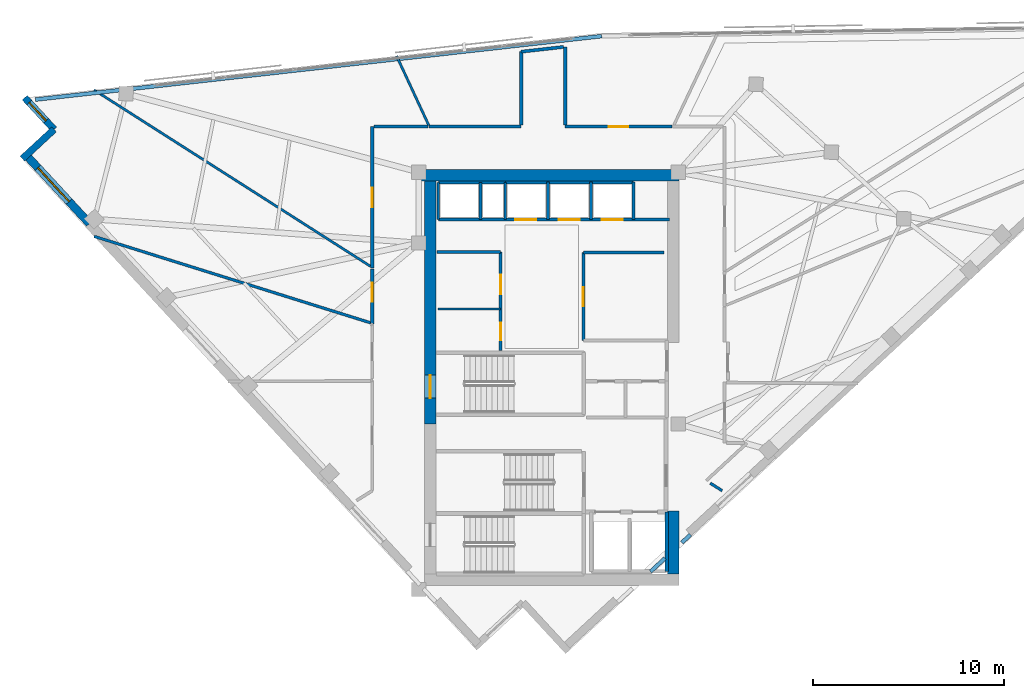
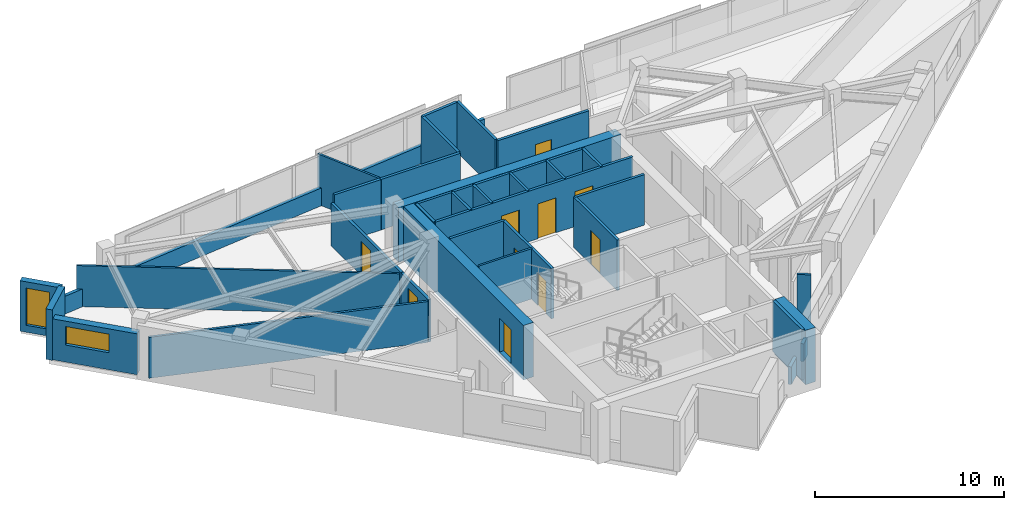
# One storey, part 9 of 13: 37 walls, 10 doors, 2 windows, 12 openings.
"""IFC4 building model written with IfcOpenShell, lengths in metres."""

from ifc_helpers import new_model, si_unit, direction, frame, frame_2d, origin, place, context, subcontext, project, spatial, rectangle, extrude, material, layer, layer_set, type_object, element, fill, save


model = new_model("IFC4")

# Units and contexts
model_context = context("Model", 3, precision=1e-05, world=origin(), true_north=direction((0.0, 1.0)))
body_context = subcontext(model_context, "Body", "Model", "MODEL_VIEW")
ifc_project = project(units=[si_unit("LENGTHUNIT", "METRE"), si_unit("AREAUNIT", "SQUARE_METRE"), si_unit("VOLUMEUNIT", "CUBIC_METRE"), si_unit("PLANEANGLEUNIT", "RADIAN"), si_unit("MASSUNIT", "GRAM", prefix="KILO")], contexts=[model_context])

# Site, building, storey
site_placement = place(None, origin())
site = spatial("IfcSite", under=ifc_project, at=site_placement, CompositionType="ELEMENT")
building_placement = place(site_placement, origin())
building = spatial("IfcBuilding", under=site, at=building_placement, Name="Narakoshi Arena Tower", CompositionType="ELEMENT")
storey_placement = place(building_placement, frame((0.0, 0.0, 271.300048828125)))
storey = spatial("IfcBuildingStorey", under=building, at=storey_placement, Name="L74", CompositionType="ELEMENT", Elevation=271.300048828125)

# Wall
ifc_material_1 = material(Name="Concrete C50/60", Category="concrete")
ifc_layer_1 = layer(ifc_material_1, 0.60009765625)
ifc_layer_set_1 = layer_set([ifc_layer_1], Name="Concrete C50/60")
wall_type_1 = type_object("IfcWallType", Name="WL-CORE-600", PredefinedType="SHEAR", material=ifc_layer_set_1)
wall_1_placement = place(storey_placement, frame((85.300048828125, 35.5, -0.260009765625), z_axis=(0.0, 0.0, 1.0), x_axis=(0.0, 1.0, 0.0)))
element("IfcWall", 1, at=wall_1_placement, inside=storey, type_object=wall_type_1, Name="L74 Central Core Shear Wall CW-APX-E", PredefinedType="SHEAR", context=body_context, shape_type="SweptSolid", body=[
    extrude(rectangle(XDim=3.300048828125, YDim=0.60009765625, at=frame_2d((1.64990234375, 0.0))), origin(), (0.0, 0.0, 1.0), 3.52001953125),
])

# Wall, opening, door
wall_2_placement = place(storey_placement, frame((72.60009765625, 43.35009765625, -0.260009765625), z_axis=(0.0, 0.0, 1.0), x_axis=(0.0, 1.0, 0.0)))
wall_2 = element("IfcWall", 2, at=wall_2_placement, inside=storey, type_object=wall_type_1, Name="L74 Main Core Shear Wall CW-MN-W", PredefinedType="SHEAR", context=body_context, shape_type="SweptSolid", body=[
    extrude(rectangle(XDim=12.699951171875, YDim=0.60009765625, at=frame_2d((6.35009765625, 0.0))), origin(), (0.0, 0.0, 1.0), 3.52001953125),
])
opening_1_placement = place(wall_2_placement, frame((1.35009765625, 0.0, 0.260009765625)))
opening_1 = element("IfcOpeningElement", 3, at=opening_1_placement, cuts=wall_2, Name="Opening D-03", PredefinedType="OPENING", context=body_context, shape_type="SweptSolid", body=[
    extrude(rectangle(XDim=1.199951171875, YDim=2.199951171875, at=frame_2d((0.60009765625, 1.10009765625))), frame((0.0, 0.31005859375, 0.0), z_axis=(0.0, -1.0, 0.0), x_axis=(1.0, 0.0, 0.0)), (0.0, 0.0, 1.0), 0.6201171875),
])
ifc_material_2 = material(Name="Painted galvanized steel", Category="steel")
door_type_1 = type_object("IfcDoorType", Name="DR-STR-1200", OperationType="NOTDEFINED", PredefinedType="USERDEFINED", material=ifc_material_2)
door_1_placement = place(opening_1_placement, frame((1.199951171875, 0.0, 0.0), z_axis=(0.0, 0.0, 1.0), x_axis=(-1.0, 0.0, 0.0)))
door_1 = element("IfcDoor", 4, at=door_1_placement, inside=storey, type_object=door_type_1, Name="DR-L74-006", ObjectType="EXITDOOR", OperationType="SINGLE_SWING_LEFT", OverallHeight=2.199951171875, OverallWidth=1.199951171875, PredefinedType="USERDEFINED", context=body_context, shape_type="SweptSolid", body=[
    extrude(rectangle(XDim=1.199951171875, YDim=2.199951171875, at=frame_2d((0.60009765625, 1.10009765625))), frame((0.0, 0.02490234375, 0.0), z_axis=(0.0, -1.0, 0.0), x_axis=(1.0, 0.0, 0.0)), (0.0, 0.0, 1.0), 0.050048828125),
])
fill(opening_1, door_1)

# Wall
wall_3_placement = place(storey_placement, frame((72.0, 56.35009765625, -0.260009765625), z_axis=(0.0, 0.0, 1.0), x_axis=(1.0, 0.0, 0.0)))
element("IfcWall", 5, at=wall_3_placement, inside=storey, type_object=wall_type_1, Name="L74 Main Core Shear Wall CW-MN-N", PredefinedType="SHEAR", context=body_context, shape_type="SweptSolid", body=[
    extrude(rectangle(XDim=13.60009765625, YDim=0.60009765625, at=frame_2d((6.800048828125, 0.0))), origin(), (0.0, 0.0, 1.0), 3.52001953125),
])

# Wall, opening, door
ifc_material_3 = material(Name="Gypsum plasterboard fire-rated partition")
ifc_layer_2 = layer(ifc_material_3, 0.1650390625)
ifc_layer_set_2 = layer_set([ifc_layer_2], Name="Gypsum plasterboard fire-rated partition")
wall_type_2 = type_object("IfcWallType", Name="WL-CORR-165", PredefinedType="PARTITIONING", material=ifc_layer_set_2)
wall_4_placement = place(storey_placement, frame((85.218994140625, 58.87646484375, 0.0), z_axis=(0.0, 0.0, 1.0), x_axis=(-1.0, 0.0, 0.0)))
wall_4 = element("IfcWall", 6, at=wall_4_placement, inside=storey, type_object=wall_type_2, Name="L74 Corridor Partition 06-1", PredefinedType="PARTITIONING", context=body_context, shape_type="SweptSolid", body=[
    extrude(rectangle(XDim=5.569091796875, YDim=0.1650390625, at=frame_2d((2.78466796875, 0.0))), origin(), (0.0, 0.0, 1.0), 3.260009765625),
])
opening_2_placement = place(wall_4_placement, frame((2.284423828125, 0.0, 0.0)))
opening_2 = element("IfcOpeningElement", 7, at=opening_2_placement, cuts=wall_4, Name="Opening D-06", PredefinedType="OPENING", context=body_context, shape_type="SweptSolid", body=[
    extrude(rectangle(XDim=1.0, YDim=2.199951171875, at=frame_2d((0.5, 1.10009765625))), frame((0.0, 0.092529296875, 0.0), z_axis=(0.0, -1.0, 0.0), x_axis=(1.0, 0.0, 0.0)), (0.0, 0.0, 1.0), 0.18505859375),
])
ifc_material_4 = material(Name="Stained oak solid-core timber", Category="wood")
door_type_2 = type_object("IfcDoorType", Name="DR-OFF-1000", OperationType="NOTDEFINED", PredefinedType="DOOR", material=ifc_material_4)
door_2_placement = place(opening_2_placement, frame((1.0, 0.0, 0.0), z_axis=(0.0, 0.0, 1.0), x_axis=(-1.0, 0.0, 0.0)))
door_2 = element("IfcDoor", 8, at=door_2_placement, inside=storey, type_object=door_type_2, Name="DR-L74-021", OperationType="SINGLE_SWING_LEFT", OverallHeight=2.199951171875, OverallWidth=1.0, PredefinedType="DOOR", context=body_context, shape_type="SweptSolid", body=[
    extrude(rectangle(XDim=1.0, YDim=2.199951171875, at=frame_2d((0.5, 1.10009765625))), frame((0.0, 0.02490234375, 0.0), z_axis=(0.0, -1.0, 0.0), x_axis=(1.0, 0.0, 0.0)), (0.0, 0.0, 1.0), 0.050048828125),
])
fill(opening_2, door_2)

# Walls
wall_5_placement = place(storey_placement, frame((77.35009765625, 58.87646484375, 0.0), z_axis=(0.0, 0.0, 1.0), x_axis=(-1.0, 0.0, 0.0)))
element("IfcWall", 9, at=wall_5_placement, inside=storey, type_object=wall_type_2, Name="L74 Corridor Partition 06-2", PredefinedType="PARTITIONING", context=body_context, shape_type="SweptSolid", body=[
    extrude(rectangle(XDim=4.82666015625, YDim=0.1650390625, at=frame_2d((2.413330078125, 0.0))), origin(), (0.0, 0.0, 1.0), 3.260009765625),
])
wall_6_placement = place(storey_placement, frame((79.64990234375, 58.970947265625, 0.0), z_axis=(0.0, 0.0, 1.0), x_axis=(0.0, 1.0, 0.0)))
element("IfcWall", 10, at=wall_6_placement, inside=storey, type_object=wall_type_2, Name="L74 Corridor Partition 06-3", PredefinedType="PARTITIONING", context=body_context, shape_type="SweptSolid", body=[
    extrude(rectangle(XDim=4.076904296875, YDim=0.1650390625, at=frame_2d((2.03857421875, 0.0))), origin(), (0.0, 0.0, 1.0), 3.260009765625),
])
wall_7_placement = place(storey_placement, frame((77.35009765625, 62.7900390625, 0.0), z_axis=(0.0, 0.0, 1.0), x_axis=(0.0, -1.0, 0.0)))
element("IfcWall", 11, at=wall_7_placement, inside=storey, type_object=wall_type_2, Name="L74 Corridor Partition 06-4", PredefinedType="PARTITIONING", context=body_context, shape_type="SweptSolid", body=[
    extrude(rectangle(XDim=3.819091796875, YDim=0.1650390625, at=frame_2d((1.90966796875, 0.0))), origin(), (0.0, 0.0, 1.0), 3.260009765625),
])
wall_8_placement = place(storey_placement, frame((79.555419921875, 63.037353515625, 0.0), z_axis=(0.0, 0.0, 1.0), x_axis=(-0.993770518254, -0.11144575833, 0.0)))
element("IfcWall", 12, at=wall_8_placement, inside=storey, type_object=wall_type_2, Name="L74 Corridor Partition 06-5", PredefinedType="PARTITIONING", context=body_context, shape_type="SweptSolid", body=[
    extrude(rectangle(XDim=2.21923828125, YDim=0.1650390625, at=frame_2d((1.109619140625, 0.0))), origin(), (0.0, 0.0, 1.0), 3.260009765625),
])

# Wall, opening, door
wall_9_placement = place(storey_placement, frame((69.573486328125, 58.87646484375, 0.0), z_axis=(0.0, 0.0, 1.0), x_axis=(0.0, -1.0, 0.0)))
wall_9 = element("IfcWall", 13, at=wall_9_placement, inside=storey, type_object=wall_type_2, Name="L74 Corridor Partition 07-1", PredefinedType="PARTITIONING", context=body_context, shape_type="SweptSolid", body=[
    extrude(rectangle(XDim=7.395751953125, YDim=0.1650390625, at=frame_2d((3.69775390625, 0.0))), origin(), (0.0, 0.0, 1.0), 2.744873046875),
])
opening_3_placement = place(wall_9_placement, frame((3.19775390625, 0.0, 0.0)))
opening_3 = element("IfcOpeningElement", 14, at=opening_3_placement, cuts=wall_9, Name="Opening D-06", PredefinedType="OPENING", context=body_context, shape_type="SweptSolid", body=[
    extrude(rectangle(XDim=1.0, YDim=2.199951171875, at=frame_2d((0.5, 1.10009765625))), frame((0.0, 0.092529296875, 0.0), z_axis=(0.0, -1.0, 0.0), x_axis=(1.0, 0.0, 0.0)), (0.0, 0.0, 1.0), 0.18505859375),
])
door_3_placement = place(opening_3_placement, frame((1.0, 0.0, 0.0), z_axis=(0.0, 0.0, 1.0), x_axis=(-1.0, 0.0, 0.0)))
door_3 = element("IfcDoor", 15, at=door_3_placement, inside=storey, type_object=door_type_2, Name="DR-L74-022", OperationType="SINGLE_SWING_RIGHT", OverallHeight=2.199951171875, OverallWidth=1.0, PredefinedType="DOOR", context=body_context, shape_type="SweptSolid", body=[
    extrude(rectangle(XDim=1.0, YDim=2.199951171875, at=frame_2d((0.5, 1.10009765625))), frame((0.0, 0.02490234375, 0.0), z_axis=(0.0, -1.0, 0.0), x_axis=(1.0, 0.0, 0.0)), (0.0, 0.0, 1.0), 0.050048828125),
])
fill(opening_3, door_3)

# Wall
wall_10_placement = place(storey_placement, frame((72.496826171875, 58.87646484375, 0.0), z_axis=(0.0, 0.0, 1.0), x_axis=(-1.0, 0.0, 0.0)))
element("IfcWall", 16, at=wall_10_placement, inside=storey, type_object=wall_type_2, Name="L74 Corridor Partition 07-2", PredefinedType="PARTITIONING", context=body_context, shape_type="SweptSolid", body=[
    extrude(rectangle(XDim=2.82861328125, YDim=0.1650390625, at=frame_2d((1.414306640625, 0.0))), origin(), (0.0, 0.0, 1.0), 3.260009765625),
])

# Wall, opening, door
wall_11_placement = place(storey_placement, frame((69.573486328125, 51.452392578125, 0.0), z_axis=(0.0, 0.0, 1.0), x_axis=(0.0, -1.0, 0.0)))
wall_11 = element("IfcWall", 17, at=wall_11_placement, inside=storey, type_object=wall_type_2, Name="L74 Corridor Partition 08-1", PredefinedType="PARTITIONING", context=body_context, shape_type="SweptSolid", body=[
    extrude(rectangle(XDim=2.887451171875, YDim=0.1650390625, at=frame_2d((1.44384765625, 0.0))), origin(), (0.0, 0.0, 1.0), 2.744873046875),
])
opening_4_placement = place(wall_11_placement, frame((0.720703125, 0.0, 0.0)))
opening_4 = element("IfcOpeningElement", 18, at=opening_4_placement, cuts=wall_11, Name="Opening D-06", PredefinedType="OPENING", context=body_context, shape_type="SweptSolid", body=[
    extrude(rectangle(XDim=1.0, YDim=2.199951171875, at=frame_2d((0.5, 1.10009765625))), frame((0.0, 0.092529296875, 0.0), z_axis=(0.0, -1.0, 0.0), x_axis=(1.0, 0.0, 0.0)), (0.0, 0.0, 1.0), 0.18505859375),
])
door_4_placement = place(opening_4_placement, frame((1.0, 0.0, 0.0), z_axis=(0.0, 0.0, 1.0), x_axis=(-1.0, 0.0, 0.0)))
door_4 = element("IfcDoor", 19, at=door_4_placement, inside=storey, type_object=door_type_2, Name="DR-L74-023", OperationType="SINGLE_SWING_LEFT", OverallHeight=2.199951171875, OverallWidth=1.0, PredefinedType="DOOR", context=body_context, shape_type="SweptSolid", body=[
    extrude(rectangle(XDim=1.0, YDim=2.199951171875, at=frame_2d((0.5, 1.10009765625))), frame((0.0, 0.02490234375, 0.0), z_axis=(0.0, -1.0, 0.0), x_axis=(1.0, 0.0, 0.0)), (0.0, 0.0, 1.0), 0.050048828125),
])
fill(opening_4, door_4)

# Walls
ifc_material_5 = material(Name="Precast concrete C45/55", Category="concrete")
ifc_layer_3 = layer(ifc_material_5, 0.25)
ifc_layer_set_3 = layer_set([ifc_layer_3], Name="Precast concrete C45/55")
wall_type_3 = type_object("IfcWallType", Name="WL-PARA-250", PredefinedType="PARAPET", material=ifc_layer_set_3)
wall_12_placement = place(storey_placement, frame((81.556640625, 63.603759765625, 0.0), z_axis=(0.0, 0.0, 1.0), x_axis=(-0.993776455024, -0.111392806945, 0.0)))
element("IfcWall", 20, at=wall_12_placement, inside=storey, type_object=wall_type_3, Name="L74 Hypotenuse Sill Upstand Parapet 2-01", PredefinedType="PARAPET", context=body_context, shape_type="SweptSolid", body=[
    extrude(rectangle(XDim=24.891357421875, YDim=0.199951171875, at=frame_2d((12.44580078125, 0.0))), origin(), (0.0, 0.0, 1.0), 1.14990234375),
])
wall_13_placement = place(storey_placement, frame((56.565185546875, 60.802490234375, 0.0), z_axis=(0.0, 0.0, 1.0), x_axis=(-0.99377164586, -0.111435702918, 0.0)))
element("IfcWall", 21, at=wall_13_placement, inside=storey, type_object=wall_type_3, Name="L74 Hypotenuse Sill Upstand Parapet 2-02", PredefinedType="PARAPET", context=body_context, shape_type="SweptSolid", body=[
    extrude(rectangle(XDim=4.6162109375, YDim=0.199951171875, at=frame_2d((2.30810546875, 0.0))), origin(), (0.0, 0.0, 1.0), 1.14990234375),
])
wall_14_placement = place(storey_placement, frame((86.191650390625, 37.56591796875, 0.0), z_axis=(0.0, 0.0, 1.0), x_axis=(-0.734346728958, -0.678774544064, 0.0)))
element("IfcWall", 22, at=wall_14_placement, inside=storey, type_object=wall_type_3, Name="L74 Crown Sill Upstand Parapet 03", PredefinedType="PARAPET", context=body_context, shape_type="SweptSolid", body=[
    extrude(rectangle(XDim=0.614990234375, YDim=0.199951171875, at=frame_2d((0.3076171875, 0.0))), origin(), (0.0, 0.0, 1.0), 1.14990234375),
])
wall_15_placement = place(storey_placement, frame((84.860107421875, 36.3349609375, 0.0), z_axis=(0.0, 0.0, 1.0), x_axis=(-0.734337093013, -0.678784968768, 0.0)))
element("IfcWall", 23, at=wall_15_placement, inside=storey, type_object=wall_type_3, Name="L74 Crown Sill Upstand Parapet 04", PredefinedType="PARAPET", context=body_context, shape_type="SweptSolid", body=[
    extrude(rectangle(XDim=1.02392578125, YDim=0.199951171875, at=frame_2d((0.511962890625, 0.0))), origin(), (0.0, 0.0, 1.0), 1.14990234375),
])
ifc_layer_4 = layer(ifc_material_3, 0.125)
ifc_layer_set_4 = layer_set([ifc_layer_4], Name="Gypsum plasterboard fire-rated partition")
wall_type_4 = type_object("IfcWallType", Name="WL-PART-125", PredefinedType="PARTITIONING", material=ifc_layer_set_4)
wall_16_placement = place(storey_placement, frame((73.0, 49.35009765625, 0.0), z_axis=(0.0, 0.0, 1.0), x_axis=(1.0, 0.0, 0.0)))
element("IfcWall", 24, at=wall_16_placement, inside=storey, type_object=wall_type_4, Name="L74 Core Wall RCL-LR-D1", PredefinedType="PARTITIONING", context=body_context, shape_type="SweptSolid", body=[
    extrude(rectangle(XDim=3.280029296875, YDim=0.125, at=frame_2d((1.64013671875, 0.0))), origin(), (0.0, 0.0, 1.0), 3.260009765625),
])
wall_17_placement = place(storey_placement, frame((72.5234375, 58.9482421875, 0.0), z_axis=(0.0, 0.0, 1.0), x_axis=(-0.421033933963, 0.90704488668, 0.0)))
element("IfcWall", 25, at=wall_17_placement, inside=storey, type_object=wall_type_4, Name="L74 Inter-Room Partition 06-07", PredefinedType="PARTITIONING", context=body_context, shape_type="SweptSolid", body=[
    extrude(rectangle(XDim=3.986572265625, YDim=0.125, at=frame_2d((1.9931640625, 0.0))), origin(), (0.0, 0.0, 1.0), 3.260009765625),
])
wall_18_placement = place(storey_placement, frame((69.47900390625, 51.583740234375, 0.0), z_axis=(0.0, 0.0, 1.0), x_axis=(-0.843040926806, 0.537849417337, 0.0)))
element("IfcWall", 26, at=wall_18_placement, inside=storey, type_object=wall_type_4, Name="L74 Inter-Room Partition 07-08", PredefinedType="PARTITIONING", context=body_context, shape_type="SweptSolid", body=[
    extrude(rectangle(XDim=17.122314453125, YDim=0.125, at=frame_2d((8.56103515625, 0.0))), origin(), (0.0, 0.0, 1.0), 2.64501953125),
])

# Wall, opening, window
ifc_layer_5 = layer(ifc_material_5, 0.419921875)
ifc_layer_set_5 = layer_set([ifc_layer_5], Name="Precast concrete C45/55")
wall_type_5 = type_object("IfcWallType", Name="WL-POD-420", PredefinedType="SOLIDWALL", material=ifc_layer_set_5)
wall_19_placement = place(storey_placement, frame((51.5, 57.38720703125, 0.0), z_axis=(0.0, 0.0, 1.0), x_axis=(0.67880684669, -0.734316869537, 0.0)))
wall_19 = element("IfcWall", 27, at=wall_19_placement, inside=storey, type_object=wall_type_5, Name="L74 Architectural Concrete Facade Wall LEGB-1", PredefinedType="SOLIDWALL", context=body_context, shape_type="SweptSolid", body=[
    extrude(rectangle(XDim=4.86865234375, YDim=0.419921875, at=frame_2d((2.434326171875, 0.0))), origin(), (0.0, 0.0, 1.0), 2.64501953125),
])
opening_5_placement = place(wall_19_placement, frame((0.89990234375, 0.0, 1.10009765625)))
opening_5 = element("IfcOpeningElement", 28, at=opening_5_placement, cuts=wall_19, Name="Opening WN-04", PredefinedType="OPENING", context=body_context, shape_type="SweptSolid", body=[
    extrude(rectangle(XDim=2.39990234375, YDim=1.199951171875, at=frame_2d((1.199951171875, 0.60009765625))), frame((0.0, 0.219970703125, 0.0), z_axis=(0.0, -1.0, 0.0), x_axis=(1.0, 0.0, 0.0)), (0.0, 0.0, 1.0), 0.43994140625),
])
ifc_material_6 = material(Name="Bronze-tinted low-E laminated glass", Category="glass")
window_type_1 = type_object("IfcWindowType", Name="WIN-SLT-24x12", PartitioningType="SINGLE_PANEL", PredefinedType="WINDOW", material=ifc_material_6)
window_1_placement = place(opening_5_placement, origin())
window_1 = element("IfcWindow", 29, at=window_1_placement, inside=storey, type_object=window_type_1, Name="L74 LEGB1 Horizontal Slot Window 1", OverallHeight=1.199951171875, OverallWidth=2.39990234375, PartitioningType="SINGLE_PANEL", PredefinedType="WINDOW", context=body_context, shape_type="SweptSolid", body=[
    extrude(rectangle(XDim=2.39990234375, YDim=1.199951171875, at=frame_2d((1.199951171875, 0.60009765625))), frame((0.0, 0.030029296875, 0.0), z_axis=(0.0, -1.0, 0.0), x_axis=(1.0, 0.0, 0.0)), (0.0, 0.0, 1.0), 0.06005859375),
])
fill(opening_5, window_1)

wall_20_placement = place(storey_placement, frame((51.42333984375, 60.38720703125, 0.0), z_axis=(0.0, 0.0, 1.0), x_axis=(0.678792531533, -0.734330102294, 0.0)))
wall_20 = element("IfcWall", 30, at=wall_20_placement, inside=storey, type_object=wall_type_5, Name="L74 Re-Entrant Corner Notch Wall NTN-1", PredefinedType="SOLIDWALL", context=body_context, shape_type="SweptSolid", body=[
    extrude(rectangle(XDim=2.255126953125, YDim=0.360107421875, at=frame_2d((1.12744140625, 0.0))), origin(), (0.0, 0.0, 1.0), 3.260009765625),
])
opening_6_placement = place(wall_20_placement, frame((0.340087890625, 0.0, 0.449951171875)))
opening_6 = element("IfcOpeningElement", 31, at=opening_6_placement, cuts=wall_20, Name="Opening WN-06", PredefinedType="OPENING", context=body_context, shape_type="SweptSolid", body=[
    extrude(rectangle(XDim=1.300048828125, YDim=2.39990234375, at=frame_2d((0.64990234375, 1.199951171875))), frame((0.0, 0.18994140625, 0.0), z_axis=(0.0, -1.0, 0.0), x_axis=(1.0, 0.0, 0.0)), (0.0, 0.0, 1.0), 0.380126953125),
])
window_type_2 = type_object("IfcWindowType", Name="WIN-NTC-16x24", PartitioningType="SINGLE_PANEL", PredefinedType="WINDOW", material=ifc_material_6)
window_2_placement = place(opening_6_placement, origin())
window_2 = element("IfcWindow", 32, at=window_2_placement, inside=storey, type_object=window_type_2, Name="L74 Corner Notch Window NTN", OverallHeight=2.39990234375, OverallWidth=1.300048828125, PartitioningType="SINGLE_PANEL", PredefinedType="WINDOW", context=body_context, shape_type="SweptSolid", body=[
    extrude(rectangle(XDim=1.300048828125, YDim=2.39990234375, at=frame_2d((0.64990234375, 1.199951171875))), frame((0.0, 0.030029296875, 0.0), z_axis=(0.0, -1.0, 0.0), x_axis=(1.0, 0.0, 0.0)), (0.0, 0.0, 1.0), 0.06005859375),
])
fill(opening_6, window_2)

# Walls
wall_21_placement = place(storey_placement, frame((52.9541015625, 58.731201171875, 0.0), z_axis=(0.0, 0.0, 1.0), x_axis=(-0.734330102294, -0.678792531533, 0.0)))
element("IfcWall", 33, at=wall_21_placement, inside=storey, type_object=wall_type_5, Name="L74 Re-Entrant Corner Notch Wall NTN-2", PredefinedType="SOLIDWALL", context=body_context, shape_type="SweptSolid", body=[
    extrude(rectangle(XDim=2.255126953125, YDim=0.360107421875, at=frame_2d((1.12744140625, 0.0))), origin(), (0.0, 0.0, 1.0), 3.260009765625),
])
ifc_material_7 = material(Name="Concrete C40/50", Category="concrete")
ifc_layer_6 = layer(ifc_material_7, 0.280029296875)
ifc_layer_set_6 = layer_set([ifc_layer_6], Name="Concrete C40/50")
wall_type_6 = type_object("IfcWallType", Name="WL-RISER-280", PredefinedType="PLUMBINGWALL", material=ifc_layer_set_6)
for number, where, z_axis, x_axis, name in (
    (34, (73.02001953125, 54.02001953125, 0.0), (0.0, 0.0, 1.0), (0.0, 1.0, 0.0), "L74 Core Wall OBS-W"),
    (35, (75.219970703125, 54.02001953125, 0.0), (0.0, 0.0, 1.0), (0.0, 1.0, 0.0), "L74 Core Wall OBS-M"),
):
    element("IfcWall", number, at=place(storey_placement, frame(where, z_axis=z_axis, x_axis=x_axis)), inside=storey, type_object=wall_type_6, Name=name, PredefinedType="PLUMBINGWALL", context=body_context, shape_type="SweptSolid", body=[
        extrude(rectangle(XDim=1.93994140625, YDim=0.14990234375, at=frame_2d((0.969970703125, 0.0))), origin(), (0.0, 0.0, 1.0), 3.260009765625),
    ])
for number, where, z_axis, x_axis, name in (
    (36, (78.75, 54.02001953125, 0.0), (0.0, 0.0, 1.0), (0.0, 1.0, 0.0), "L74 Core Wall HR-D1"),
    (37, (81.0, 54.02001953125, 0.0), (0.0, 0.0, 1.0), (0.0, 1.0, 0.0), "L74 Core Wall HR-D2"),
):
    element("IfcWall", number, at=place(storey_placement, frame(where, z_axis=z_axis, x_axis=x_axis)), inside=storey, type_object=wall_type_6, Name=name, PredefinedType="PLUMBINGWALL", context=body_context, shape_type="SweptSolid", body=[
        extrude(rectangle(XDim=1.9599609375, YDim=0.14990234375, at=frame_2d((0.97998046875, 0.0))), origin(), (0.0, 0.0, 1.0), 3.260009765625),
    ])
ifc_layer_7 = layer(ifc_material_1, 0.35009765625)
ifc_layer_set_7 = layer_set([ifc_layer_7], Name="Concrete C50/60")
wall_type_7 = type_object("IfcWallType", Name="WL-SHAFT-350", PredefinedType="SOLIDWALL", material=ifc_layer_set_7)
wall_22_placement = place(storey_placement, frame((84.949951171875, 35.64990234375, 0.0), z_axis=(0.0, 0.0, 1.0), x_axis=(0.0, 1.0, 0.0)))
element("IfcWall", 38, at=wall_22_placement, inside=storey, type_object=wall_type_7, Name="L74 Core Wall FF-E", PredefinedType="SOLIDWALL", context=body_context, shape_type="SweptSolid", body=[
    extrude(rectangle(XDim=3.10009765625, YDim=0.179931640625, at=frame_2d((1.550048828125, 0.0))), origin(), (0.0, 0.0, 1.0), 3.260009765625),
])

# Wall, openings, doors
wall_23_placement = place(storey_placement, frame((76.280029296875, 47.179931640625, 0.0), z_axis=(0.0, 0.0, 1.0), x_axis=(0.0, 1.0, 0.0)))
wall_23 = element("IfcWall", 39, at=wall_23_placement, inside=storey, type_object=wall_type_7, Name="L74 Core Wall LR-E", PredefinedType="SOLIDWALL", context=body_context, shape_type="SweptSolid", body=[
    extrude(rectangle(XDim=5.14013671875, YDim=0.159912109375, at=frame_2d((2.570068359375, 0.0))), origin(), (0.0, 0.0, 1.0), 3.260009765625),
])
opening_7_placement = place(wall_23_placement, frame((0.550048828125, 0.0, 0.0)))
opening_7 = element("IfcOpeningElement", 40, at=opening_7_placement, cuts=wall_23, Name="Opening D-08", PredefinedType="OPENING", context=body_context, shape_type="SweptSolid", body=[
    extrude(rectangle(XDim=0.89990234375, YDim=2.10009765625, at=frame_2d((0.449951171875, 1.050048828125))), frame((0.0, 0.08984375, 0.0), z_axis=(0.0, -1.0, 0.0), x_axis=(1.0, 0.0, 0.0)), (0.0, 0.0, 1.0), 0.179931640625),
])
opening_8_placement = place(wall_23_placement, frame((2.949951171875, 0.0, 0.0)))
opening_8 = element("IfcOpeningElement", 41, at=opening_8_placement, cuts=wall_23, Name="Opening D-06", PredefinedType="OPENING", context=body_context, shape_type="SweptSolid", body=[
    extrude(rectangle(XDim=1.0, YDim=2.199951171875, at=frame_2d((0.5, 1.10009765625))), frame((0.0, 0.08984375, 0.0), z_axis=(0.0, -1.0, 0.0), x_axis=(1.0, 0.0, 0.0)), (0.0, 0.0, 1.0), 0.179931640625),
])
door_5_placement = place(opening_8_placement, frame((1.0, 0.0, 0.0), z_axis=(0.0, 0.0, 1.0), x_axis=(-1.0, 0.0, 0.0)))
door_5 = element("IfcDoor", 42, at=door_5_placement, inside=storey, type_object=door_type_2, Name="DR-L74-011", OperationType="SINGLE_SWING_LEFT", OverallHeight=2.199951171875, OverallWidth=1.0, PredefinedType="DOOR", context=body_context, shape_type="SweptSolid", body=[
    extrude(rectangle(XDim=1.0, YDim=2.199951171875, at=frame_2d((0.5, 1.10009765625))), frame((0.0, 0.02490234375, 0.0), z_axis=(0.0, -1.0, 0.0), x_axis=(1.0, 0.0, 0.0)), (0.0, 0.0, 1.0), 0.050048828125),
])
fill(opening_8, door_5)
ifc_material_8 = material(Name="Moisture-resistant laminate timber", Category="wood")
door_type_3 = type_object("IfcDoorType", Name="DR-WC-900", OperationType="NOTDEFINED", PredefinedType="DOOR", material=ifc_material_8)
door_6_placement = place(opening_7_placement, frame((0.89990234375, 0.0, 0.0), z_axis=(0.0, 0.0, 1.0), x_axis=(-1.0, 0.0, 0.0)))
door_6 = element("IfcDoor", 43, at=door_6_placement, inside=storey, type_object=door_type_3, Name="DR-L74-010", OperationType="SINGLE_SWING_RIGHT", OverallHeight=2.10009765625, OverallWidth=0.89990234375, PredefinedType="DOOR", context=body_context, shape_type="SweptSolid", body=[
    extrude(rectangle(XDim=0.89990234375, YDim=2.10009765625, at=frame_2d((0.449951171875, 1.050048828125))), frame((0.0, 0.02490234375, 0.0), z_axis=(0.0, -1.0, 0.0), x_axis=(1.0, 0.0, 0.0)), (0.0, 0.0, 1.0), 0.050048828125),
])
fill(opening_7, door_6)

# Wall
wall_24_placement = place(storey_placement, frame((72.949951171875, 52.320068359375, 0.0), z_axis=(0.0, 0.0, 1.0), x_axis=(1.0, 0.0, 0.0)))
element("IfcWall", 44, at=wall_24_placement, inside=storey, type_object=wall_type_7, Name="L74 Core Wall LR-N", PredefinedType="SOLIDWALL", context=body_context, shape_type="SweptSolid", body=[
    extrude(rectangle(XDim=3.330078125, YDim=0.14990234375, at=frame_2d((1.6650390625, 0.0))), origin(), (0.0, 0.0, 1.0), 3.260009765625),
])

# Wall, opening, door
wall_25_placement = place(storey_placement, frame((80.60009765625, 47.699951171875, 0.0), z_axis=(0.0, 0.0, 1.0), x_axis=(0.0, 1.0, 0.0)))
wall_25 = element("IfcWall", 45, at=wall_25_placement, inside=storey, type_object=wall_type_7, Name="L74 Core Wall MR-W", PredefinedType="SOLIDWALL", context=body_context, shape_type="SweptSolid", body=[
    extrude(rectangle(XDim=4.60009765625, YDim=0.159912109375, at=frame_2d((2.300048828125, 0.0))), origin(), (0.0, 0.0, 1.0), 3.260009765625),
])
opening_9_placement = place(wall_25_placement, frame((1.800048828125, 0.0, 0.0)))
opening_9 = element("IfcOpeningElement", 46, at=opening_9_placement, cuts=wall_25, Name="Opening D-06", PredefinedType="OPENING", context=body_context, shape_type="SweptSolid", body=[
    extrude(rectangle(XDim=1.0, YDim=2.199951171875, at=frame_2d((0.5, 1.10009765625))), frame((0.0, 0.08984375, 0.0), z_axis=(0.0, -1.0, 0.0), x_axis=(1.0, 0.0, 0.0)), (0.0, 0.0, 1.0), 0.179931640625),
])
door_7_placement = place(opening_9_placement, origin())
door_7 = element("IfcDoor", 47, at=door_7_placement, inside=storey, type_object=door_type_2, Name="DR-L74-012", OperationType="SINGLE_SWING_LEFT", OverallHeight=2.199951171875, OverallWidth=1.0, PredefinedType="DOOR", context=body_context, shape_type="SweptSolid", body=[
    extrude(rectangle(XDim=1.0, YDim=2.199951171875, at=frame_2d((0.5, 1.10009765625))), frame((0.0, 0.02490234375, 0.0), z_axis=(0.0, -1.0, 0.0), x_axis=(1.0, 0.0, 0.0)), (0.0, 0.0, 1.0), 0.050048828125),
])
fill(opening_9, door_7)

# Wall
wall_26_placement = place(storey_placement, frame((80.60009765625, 52.300048828125, 0.0), z_axis=(0.0, 0.0, 1.0), x_axis=(1.0, 0.0, 0.0)))
element("IfcWall", 48, at=wall_26_placement, inside=storey, type_object=wall_type_7, Name="L74 Core Wall MR-N", PredefinedType="SOLIDWALL", context=body_context, shape_type="SweptSolid", body=[
    extrude(rectangle(XDim=4.219970703125, YDim=0.159912109375, at=frame_2d((2.10986328125, 0.0))), origin(), (0.0, 0.0, 1.0), 3.260009765625),
])

# Wall, openings, doors
wall_27_placement = place(storey_placement, frame((73.02001953125, 54.02001953125, 0.0), z_axis=(0.0, 0.0, 1.0), x_axis=(1.0, 0.0, 0.0)))
wall_27 = element("IfcWall", 49, at=wall_27_placement, inside=storey, type_object=wall_type_7, Name="L74 Core Wall NSHF-S", PredefinedType="SOLIDWALL", context=body_context, shape_type="SweptSolid", body=[
    extrude(rectangle(XDim=12.080078125, YDim=0.159912109375, at=frame_2d((6.0400390625, 0.0))), origin(), (0.0, 0.0, 1.0), 3.260009765625),
])
opening_10_placement = place(wall_27_placement, frame((4.030029296875, 0.0, 0.0)))
opening_10 = element("IfcOpeningElement", 50, at=opening_10_placement, cuts=wall_27, Name="Opening LD-01", PredefinedType="OPENING", context=body_context, shape_type="SweptSolid", body=[
    extrude(rectangle(XDim=1.10009765625, YDim=2.25, at=frame_2d((0.550048828125, 1.125))), frame((0.0, 0.08984375, 0.0), z_axis=(0.0, -1.0, 0.0), x_axis=(1.0, 0.0, 0.0)), (0.0, 0.0, 1.0), 0.179931640625),
])
opening_11_placement = place(wall_27_placement, frame((6.280029296875, 0.0, 0.0)))
opening_11 = element("IfcOpeningElement", 51, at=opening_11_placement, cuts=wall_27, Name="Opening LD-01", PredefinedType="OPENING", context=body_context, shape_type="SweptSolid", body=[
    extrude(rectangle(XDim=1.10009765625, YDim=2.25, at=frame_2d((0.550048828125, 1.125))), frame((0.0, 0.08984375, 0.0), z_axis=(0.0, -1.0, 0.0), x_axis=(1.0, 0.0, 0.0)), (0.0, 0.0, 1.0), 0.179931640625),
])
opening_12_placement = place(wall_27_placement, frame((8.530029296875, 0.0, 0.0)))
opening_12 = element("IfcOpeningElement", 52, at=opening_12_placement, cuts=wall_27, Name="Opening LD-01", PredefinedType="OPENING", context=body_context, shape_type="SweptSolid", body=[
    extrude(rectangle(XDim=1.10009765625, YDim=2.25, at=frame_2d((0.550048828125, 1.125))), frame((0.0, 0.08984375, 0.0), z_axis=(0.0, -1.0, 0.0), x_axis=(1.0, 0.0, 0.0)), (0.0, 0.0, 1.0), 0.179931640625),
])
ifc_material_9 = material(Name="Brushed bronze stainless steel", Category="steel")
door_type_4 = type_object("IfcDoorType", Name="DR-LFT-1100", OperationType="DOUBLE_DOOR_SLIDING", PredefinedType="DOOR", material=ifc_material_9)
door_8_placement = place(opening_10_placement, origin())
door_8 = element("IfcDoor", 53, at=door_8_placement, inside=storey, type_object=door_type_4, Name="DR-L74-013", OperationType="DOUBLE_DOOR_SLIDING", OverallHeight=2.25, OverallWidth=1.10009765625, PredefinedType="DOOR", context=body_context, shape_type="SweptSolid", body=[
    extrude(rectangle(XDim=1.10009765625, YDim=2.25, at=frame_2d((0.550048828125, 1.125))), frame((0.0, 0.02490234375, 0.0), z_axis=(0.0, -1.0, 0.0), x_axis=(1.0, 0.0, 0.0)), (0.0, 0.0, 1.0), 0.050048828125),
])
fill(opening_10, door_8)
door_9_placement = place(opening_11_placement, origin())
door_9 = element("IfcDoor", 54, at=door_9_placement, inside=storey, type_object=door_type_4, Name="DR-L74-014", OperationType="DOUBLE_DOOR_SLIDING", OverallHeight=2.25, OverallWidth=1.10009765625, PredefinedType="DOOR", context=body_context, shape_type="SweptSolid", body=[
    extrude(rectangle(XDim=1.10009765625, YDim=2.25, at=frame_2d((0.550048828125, 1.125))), frame((0.0, 0.02490234375, 0.0), z_axis=(0.0, -1.0, 0.0), x_axis=(1.0, 0.0, 0.0)), (0.0, 0.0, 1.0), 0.050048828125),
])
fill(opening_11, door_9)
door_10_placement = place(opening_12_placement, origin())
door_10 = element("IfcDoor", 55, at=door_10_placement, inside=storey, type_object=door_type_4, Name="DR-L74-015", OperationType="DOUBLE_DOOR_SLIDING", OverallHeight=2.25, OverallWidth=1.10009765625, PredefinedType="DOOR", context=body_context, shape_type="SweptSolid", body=[
    extrude(rectangle(XDim=1.10009765625, YDim=2.25, at=frame_2d((0.550048828125, 1.125))), frame((0.0, 0.02490234375, 0.0), z_axis=(0.0, -1.0, 0.0), x_axis=(1.0, 0.0, 0.0)), (0.0, 0.0, 1.0), 0.050048828125),
])
fill(opening_12, door_10)

# Walls
wall_28_placement = place(storey_placement, frame((73.02001953125, 55.9599609375, 0.0), z_axis=(0.0, 0.0, 1.0), x_axis=(1.0, 0.0, 0.0)))
element("IfcWall", 56, at=wall_28_placement, inside=storey, type_object=wall_type_7, Name="L74 Core Wall OBS-N", PredefinedType="SOLIDWALL", context=body_context, shape_type="SweptSolid", body=[
    extrude(rectangle(XDim=3.5, YDim=0.14990234375, at=frame_2d((1.75, 0.0))), origin(), (0.0, 0.0, 1.0), 3.260009765625),
])
wall_29_placement = place(storey_placement, frame((76.52001953125, 54.02001953125, 0.0), z_axis=(0.0, 0.0, 1.0), x_axis=(0.0, 1.0, 0.0)))
element("IfcWall", 57, at=wall_29_placement, inside=storey, type_object=wall_type_7, Name="L74 Core Wall OBS-E", PredefinedType="SOLIDWALL", context=body_context, shape_type="SweptSolid", body=[
    extrude(rectangle(XDim=1.93994140625, YDim=0.14990234375, at=frame_2d((0.969970703125, 0.0))), origin(), (0.0, 0.0, 1.0), 3.260009765625),
])
wall_30_placement = place(storey_placement, frame((83.219970703125, 54.02001953125, 0.0), z_axis=(0.0, 0.0, 1.0), x_axis=(0.0, 1.0, 0.0)))
element("IfcWall", 58, at=wall_30_placement, inside=storey, type_object=wall_type_7, Name="L74 Core Wall HR-E", PredefinedType="SOLIDWALL", context=body_context, shape_type="SweptSolid", body=[
    extrude(rectangle(XDim=1.9599609375, YDim=0.14990234375, at=frame_2d((0.97998046875, 0.0))), origin(), (0.0, 0.0, 1.0), 3.260009765625),
])
wall_31_placement = place(storey_placement, frame((76.52001953125, 55.9599609375, 0.0), z_axis=(0.0, 0.0, 1.0), x_axis=(1.0, 0.0, 0.0)))
element("IfcWall", 59, at=wall_31_placement, inside=storey, type_object=wall_type_7, Name="L74 Core Wall HR-N", PredefinedType="SOLIDWALL", context=body_context, shape_type="SweptSolid", body=[
    extrude(rectangle(XDim=6.699951171875, YDim=0.14990234375, at=frame_2d((3.35009765625, 0.0))), origin(), (0.0, 0.0, 1.0), 3.260009765625),
])
ifc_material_10 = material(Name="Moisture-resistant cement-board partition")
ifc_layer_8 = layer(ifc_material_10, 0.14501953125)
ifc_layer_set_8 = layer_set([ifc_layer_8], Name="Moisture-resistant cement-board partition")
wall_type_8 = type_object("IfcWallType", Name="WL-WET-145", PredefinedType="PARTITIONING", material=ifc_layer_set_8)
wall_32_placement = place(storey_placement, frame((69.47900390625, 48.63232421875, 0.0), z_axis=(0.0, 0.0, 1.0), x_axis=(-0.95441273418, 0.298490088336, 0.0)))
element("IfcWall", 60, at=wall_32_placement, inside=storey, type_object=wall_type_8, Name="L74 Inter-Room Partition 08-09", PredefinedType="PARTITIONING", context=body_context, shape_type="SweptSolid", body=[
    extrude(rectangle(XDim=15.12255859375, YDim=0.14501953125, at=frame_2d((7.561279296875, 0.0))), origin(), (0.0, 0.0, 1.0), 2.64501953125),
])
wall_33_placement = place(storey_placement, frame((87.844482421875, 39.86328125, 0.0), z_axis=(0.0, 0.0, 1.0), x_axis=(-0.843784236192, 0.536682553055, 0.0)))
element("IfcWall", 61, at=wall_33_placement, inside=storey, type_object=wall_type_8, Name="L74 Room Enclosure Partition 02-1", PredefinedType="PARTITIONING", context=body_context, shape_type="SweptSolid", body=[
    extrude(rectangle(XDim=0.737060546875, YDim=0.14501953125, at=frame_2d((0.36865234375, 0.0))), origin(), (0.0, 0.0, 1.0), 3.260009765625),
])

save(model, "model.ifc")
